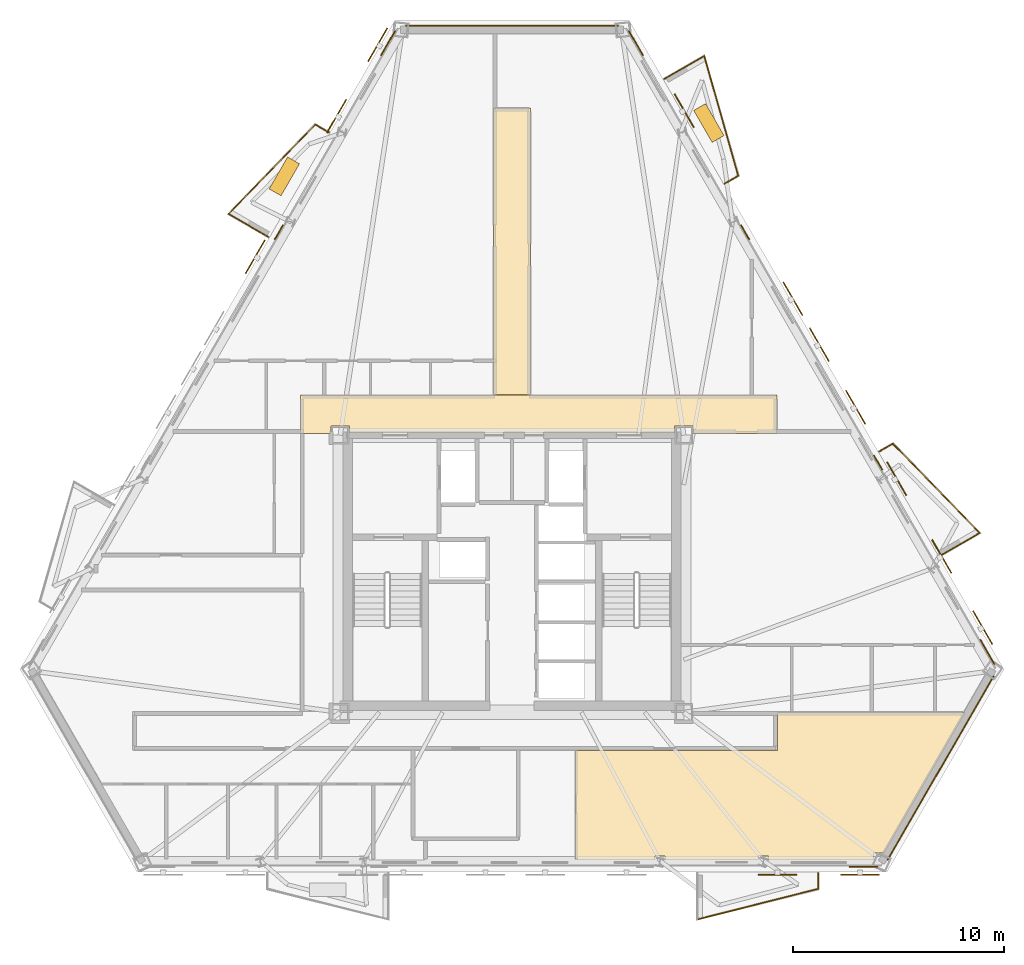
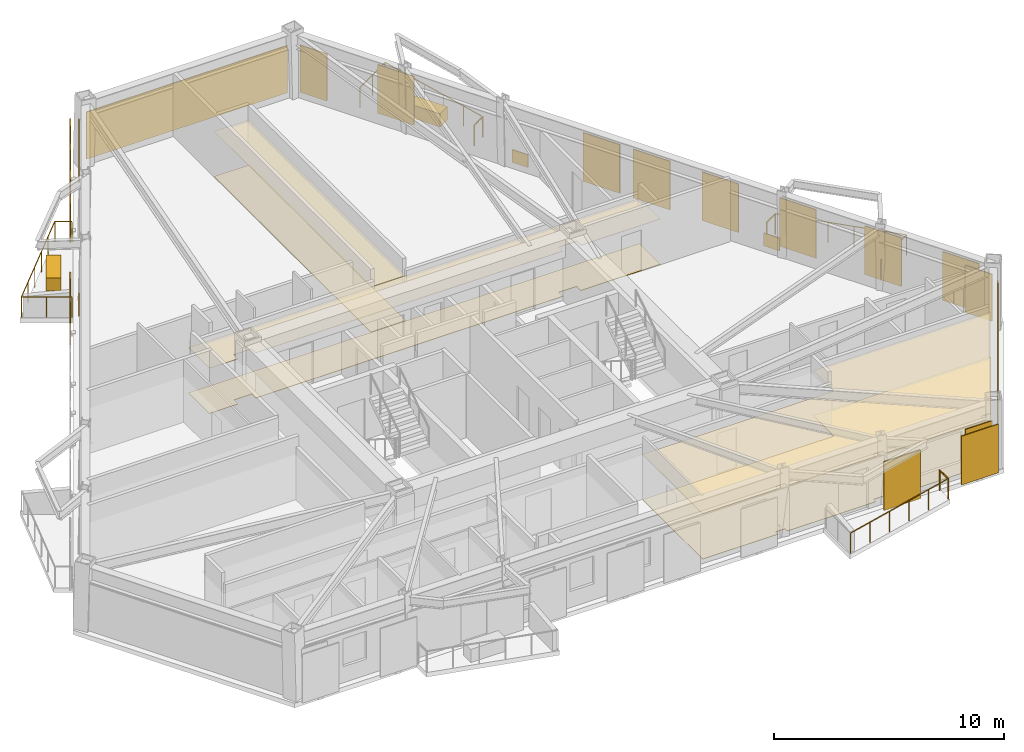
# One storey, part 9 of 9: 17 coverings, 12 shading devices, 11 railings.
"""IFC4 building model written with IfcOpenShell, lengths in metres."""

from ifc_helpers import new_model, si_unit, direction, frame, origin, origin_2d, place, context, subcontext, project, spatial, polyline, rectangle, circle, outline, extrude, material, layer, layer_set, type_object, element, save


model = new_model("IFC4")

# Units and contexts
model_context = context("Model", 3, precision=1e-05, world=origin(), true_north=direction((0.0, 1.0)))
body_context = subcontext(model_context, "Body", "Model", "MODEL_VIEW")
ifc_project = project(units=[si_unit("LENGTHUNIT", "METRE"), si_unit("AREAUNIT", "SQUARE_METRE"), si_unit("VOLUMEUNIT", "CUBIC_METRE"), si_unit("PLANEANGLEUNIT", "RADIAN"), si_unit("MASSUNIT", "GRAM", prefix="KILO")], contexts=[model_context])

# Site, building, storey
site_placement = place(None, origin())
site = spatial("IfcSite", under=ifc_project, at=site_placement, CompositionType="ELEMENT")
building_placement = place(site_placement, origin())
building = spatial("IfcBuilding", under=site, at=building_placement, Name="Oramaril Tower", CompositionType="ELEMENT")
storey_placement = place(building_placement, frame((0.0, 0.0, 126.60009765625)))
storey = spatial("IfcBuildingStorey", under=building, at=storey_placement, Name="L33", CompositionType="ELEMENT", Elevation=126.60009765625)

# Coverings
ifc_material_1 = material(Name="Mineral Fibre Acoustic Ceiling")
ifc_layer_1 = layer(ifc_material_1, 0.02001953125)
ifc_layer_set_1 = layer_set([ifc_layer_1], Name="CVT-CEIL")
covering_type_1 = type_object("IfcCoveringType", Name="CVT-CEIL", PredefinedType="CEILING", material=ifc_layer_set_1)
covering_1_placement = place(storey_placement, frame((0.0, 0.0, 2.39990234375)))
element("IfcCovering", 1, at=covering_1_placement, inside=storey, type_object=covering_type_1, Name="L33 Acoustic Suspended Ceiling 2", PredefinedType="CEILING", context=body_context, shape_type="SweptSolid", body=[
    extrude(outline(polyline([(50.080078125, 24.239990234375), (46.094970703125, 24.239990234375), (46.094970703125, 24.594970703125), (45.205078125, 24.594970703125), (45.205078125, 24.25), (29.794921875, 24.25), (29.794921875, 24.594970703125), (28.905029296875, 24.594970703125), (28.905029296875, 24.239990234375), (27.469970703125, 24.239990234375), (27.469970703125, 26.050048828125), (50.080078125, 26.050048828125), (50.080078125, 24.239990234375)])), origin(), (0.0, 0.0, 1.0), 0.02001953125),
])
covering_2_placement = place(storey_placement, frame((0.0, 0.0, 2.39990234375)))
element("IfcCovering", 2, at=covering_2_placement, inside=storey, type_object=covering_type_1, Name="L33 Acoustic Suspended Ceiling 4", PredefinedType="CEILING", context=body_context, shape_type="SweptSolid", body=[
    extrude(outline(polyline([(38.3798828125, 26.070068359375), (36.6201171875, 26.070068359375), (36.6201171875, 39.679931640625), (38.3798828125, 39.679931640625), (38.3798828125, 26.070068359375)])), origin(), (0.0, 0.0, 1.0), 0.02001953125),
])
covering_3_placement = place(storey_placement, frame((0.0, 0.0, 2.39990234375)))
element("IfcCovering", 3, at=covering_3_placement, inside=storey, type_object=covering_type_1, Name="L33 Acoustic Suspended Ceiling 7", PredefinedType="CEILING", context=body_context, shape_type="SweptSolid", body=[
    extrude(outline(polyline([(55.16064453125, 4.329833984375), (54.654541015625, 4.329833984375), (54.654541015625, 3.986328125), (49.664306640625, 3.986328125), (49.664306640625, 4.182861328125), (49.193603515625, 4.182861328125), (49.193603515625, 3.986328125), (44.747314453125, 3.986328125), (44.747314453125, 4.182861328125), (44.286865234375, 4.182861328125), (44.286865234375, 3.986328125), (40.507568359375, 3.986328125), (40.507568359375, 9.199951171875), (50.080078125, 9.199951171875), (50.08203125, 9.2001953125), (50.083984375, 9.200439453125), (50.085693359375, 9.200927734375), (50.087646484375, 9.201416015625), (50.08935546875, 9.202392578125), (50.091064453125, 9.203369140625), (50.0927734375, 9.20458984375), (50.093994140625, 9.205810546875), (50.095458984375, 9.207275390625), (50.0966796875, 9.208984375), (50.09765625, 9.210693359375), (50.098388671875, 9.21240234375), (50.09912109375, 9.214111328125), (50.099609375, 9.216064453125), (50.099853515625, 9.218017578125), (50.10009765625, 9.219970703125), (50.10009765625, 10.991943359375), (59.0068359375, 10.991943359375), (55.16064453125, 4.329833984375)])), origin(), (0.0, 0.0, 1.0), 0.02001953125),
])
ifc_material_2 = material(Name="Warm Cream Limestone", Category="masonry")
ifc_layer_2 = layer(ifc_material_2, 0.050048828125)
ifc_layer_set_2 = layer_set([ifc_layer_2], Name="CVT-CLD")
covering_type_2 = type_object("IfcCoveringType", Name="CVT-CLD", PredefinedType="CLADDING", material=ifc_layer_set_2)
covering_4_placement = place(storey_placement, frame((54.174560546875, 3.685302734375, 0.039794921875), z_axis=(0.0, 0.0, 1.0), x_axis=(1.0, 0.0, 0.0)))
element("IfcCovering", 4, at=covering_4_placement, inside=storey, type_object=covering_type_2, Name="L33 Warm Cream Limestone Cladding", PredefinedType="CLADDING", context=body_context, shape_type="SweptSolid", body=[
    extrude(rectangle(XDim=1.35009765625, YDim=0.050048828125, at=origin_2d()), origin(), (0.0, 0.0, 1.0), 2.498046875),
])
covering_5_placement = place(storey_placement, frame((57.834716796875, 8.359619140625, 0.039794921875), z_axis=(0.0, 0.0, 1.0), x_axis=(0.5, 0.866025403784, 0.0)))
element("IfcCovering", 5, at=covering_5_placement, inside=storey, type_object=covering_type_2, Name="L33 Warm Cream Limestone Cladding", PredefinedType="CLADDING", context=body_context, shape_type="SweptSolid", body=[
    extrude(rectangle(XDim=10.072265625, YDim=0.050048828125, at=origin_2d()), origin(), (0.0, 0.0, 1.0), 2.498046875),
])
for number, where, z_axis, x_axis, name in (
    (6, (60.052734375, 13.86669921875, 0.039794921875), (0.0, 0.0, 1.0), (-0.4999984885, 0.866026276448, 0.0), "L33 Warm Cream Limestone Cladding"),
    (7, (43.378173828125, 42.747802734375, 0.039794921875), (0.0, 0.0, 1.0), (-0.4999984885, 0.866026276448, 0.0), "L33 Warm Cream Limestone Cladding"),
):
    element("IfcCovering", number, at=place(storey_placement, frame(where, z_axis=z_axis, x_axis=x_axis)), inside=storey, type_object=covering_type_2, Name=name, PredefinedType="CLADDING", context=body_context, shape_type="SweptSolid", body=[
        extrude(rectangle(XDim=1.35009765625, YDim=0.050048828125, at=origin_2d()), origin(), (0.0, 0.0, 1.0), 2.498046875),
    ])
for number, where, z_axis, x_axis, name in (
    (8, (54.869873046875, 22.84375, 0.0400390625), (0.0, 0.0, 1.0), (-0.4999984885, 0.866026276448, 0.0), "L33 Warm Cream Limestone Spandrel Cladding"),
    (9, (48.56103515625, 33.77099609375, 0.0400390625), (0.0, 0.0, 1.0), (-0.4999984885, 0.866026276448, 0.0), "L33 Warm Cream Limestone Spandrel Cladding"),
):
    element("IfcCovering", number, at=place(storey_placement, frame(where, z_axis=z_axis, x_axis=x_axis)), inside=storey, type_object=covering_type_2, Name=name, PredefinedType="CLADDING", context=body_context, shape_type="SweptSolid", body=[
        extrude(rectangle(XDim=0.800048828125, YDim=0.050048828125, at=origin_2d()), origin(), (0.0, 0.0, 1.0), 0.679931640625),
    ])
covering_6_placement = place(storey_placement, frame((37.5, 43.58056640625, 0.039794921875), z_axis=(0.0, 0.0, 1.0), x_axis=(-1.0, 0.0, 0.0)))
element("IfcCovering", 10, at=covering_6_placement, inside=storey, type_object=covering_type_2, Name="L33 Warm Cream Limestone Cladding", PredefinedType="CLADDING", context=body_context, shape_type="SweptSolid", body=[
    extrude(rectangle(XDim=10.072265625, YDim=0.050048828125, at=origin_2d()), origin(), (0.0, 0.0, 1.0), 2.498046875),
])
covering_7_placement = place(storey_placement, frame((31.621826171875, 42.747802734375, 0.039794921875), z_axis=(0.0, 0.0, 1.0), x_axis=(-0.4999984885, -0.866026276448, 0.0)))
element("IfcCovering", 11, at=covering_7_placement, inside=storey, type_object=covering_type_2, Name="L33 Warm Cream Limestone Cladding", PredefinedType="CLADDING", context=body_context, shape_type="SweptSolid", body=[
    extrude(rectangle(XDim=1.35009765625, YDim=0.050048828125, at=origin_2d()), origin(), (0.0, 0.0, 1.0), 2.498046875),
])
covering_8_placement = place(storey_placement, frame((26.43896484375, 33.77099609375, 0.0400390625), z_axis=(0.0, 0.0, 1.0), x_axis=(-0.4999984885, -0.866026276448, 0.0)))
element("IfcCovering", 12, at=covering_8_placement, inside=storey, type_object=covering_type_2, Name="L33 Warm Cream Limestone Spandrel Cladding", PredefinedType="CLADDING", context=body_context, shape_type="SweptSolid", body=[
    extrude(rectangle(XDim=0.800048828125, YDim=0.050048828125, at=origin_2d()), origin(), (0.0, 0.0, 1.0), 0.679931640625),
])
for number, where, z_axis, x_axis, name in (
    (13, (46.838623046875, 38.961181640625, 0.0), (0.0, 0.0, 1.0), (-0.4999984885, 0.866026276448, 0.0), "L33 Structural Tree Planter Box L33-BAL-NE2"),
    (14, (26.69873046875, 36.42822265625, 0.0), (0.0, 0.0, 1.0), (-0.4999984885, -0.866026276448, 0.0), "L33 Structural Tree Planter Box L33-BAL-NW1"),
):
    element("IfcCovering", number, at=place(storey_placement, frame(where, z_axis=z_axis, x_axis=x_axis)), inside=storey, type_object=covering_type_2, Name=name, PredefinedType="CLADDING", context=body_context, shape_type="SweptSolid", body=[
        extrude(rectangle(XDim=1.75, YDim=0.64990234375, at=origin_2d()), origin(), (0.0, 0.0, 1.0), 0.699951171875),
    ])
ifc_material_3 = material(Name="Honed Quartzite Stone Flooring", Category="masonry")
ifc_layer_3 = layer(ifc_material_3, 0.02490234375)
ifc_layer_set_3 = layer_set([ifc_layer_3], Name="CVT-FLR")
covering_type_3 = type_object("IfcCoveringType", Name="CVT-FLR", PredefinedType="FLOORING", material=ifc_layer_set_3)
covering_9_placement = place(storey_placement, origin())
element("IfcCovering", 15, at=covering_9_placement, inside=storey, type_object=covering_type_3, Name="L33 Honed Stone Floor Finish 2", PredefinedType="FLOORING", context=body_context, shape_type="SweptSolid", body=[
    extrude(outline(polyline([(50.080078125, 24.239990234375), (46.094970703125, 24.239990234375), (46.094970703125, 24.594970703125), (45.205078125, 24.594970703125), (45.205078125, 24.25), (29.794921875, 24.25), (29.794921875, 24.594970703125), (28.905029296875, 24.594970703125), (28.905029296875, 24.239990234375), (27.469970703125, 24.239990234375), (27.469970703125, 26.050048828125), (50.080078125, 26.050048828125), (50.080078125, 24.239990234375)])), origin(), (0.0, 0.0, 1.0), 0.02490234375),
])
covering_10_placement = place(storey_placement, origin())
element("IfcCovering", 16, at=covering_10_placement, inside=storey, type_object=covering_type_3, Name="L33 Honed Stone Floor Finish 4", PredefinedType="FLOORING", context=body_context, shape_type="SweptSolid", body=[
    extrude(outline(polyline([(38.3798828125, 26.070068359375), (36.6201171875, 26.070068359375), (36.6201171875, 39.679931640625), (38.3798828125, 39.679931640625), (38.3798828125, 26.070068359375)])), origin(), (0.0, 0.0, 1.0), 0.02490234375),
])
covering_11_placement = place(storey_placement, origin())
element("IfcCovering", 17, at=covering_11_placement, inside=storey, type_object=covering_type_3, Name="L33 Honed Stone Floor Finish 7", PredefinedType="FLOORING", context=body_context, shape_type="SweptSolid", body=[
    extrude(outline(polyline([(55.16064453125, 4.329833984375), (54.654541015625, 4.329833984375), (54.654541015625, 3.986328125), (49.664306640625, 3.986328125), (49.664306640625, 4.182861328125), (49.193603515625, 4.182861328125), (49.193603515625, 3.986328125), (44.747314453125, 3.986328125), (44.747314453125, 4.182861328125), (44.286865234375, 4.182861328125), (44.286865234375, 3.986328125), (40.507568359375, 3.986328125), (40.507568359375, 9.199951171875), (50.080078125, 9.199951171875), (50.08203125, 9.2001953125), (50.083984375, 9.200439453125), (50.085693359375, 9.200927734375), (50.087646484375, 9.201416015625), (50.08935546875, 9.202392578125), (50.091064453125, 9.203369140625), (50.0927734375, 9.20458984375), (50.093994140625, 9.205810546875), (50.095458984375, 9.207275390625), (50.0966796875, 9.208984375), (50.09765625, 9.210693359375), (50.098388671875, 9.21240234375), (50.09912109375, 9.214111328125), (50.099609375, 9.216064453125), (50.099853515625, 9.218017578125), (50.10009765625, 9.219970703125), (50.10009765625, 10.991943359375), (59.0068359375, 10.991943359375), (55.16064453125, 4.329833984375)])), origin(), (0.0, 0.0, 1.0), 0.02490234375),
])

# Railings
ifc_material_4 = material(Name="Stainless Steel 316L", Category="steel")
railing_type = type_object("IfcRailingType", Name="RLT-GRD", PredefinedType="GUARDRAIL", material=ifc_material_4)
railing_1_placement = place(storey_placement, frame((52.030029296875, 3.370361328125, 0.0)))
element("IfcRailing", 18, at=railing_1_placement, inside=storey, type_object=railing_type, Name="L33 Balcony Guardrail L33-BAL-S2.1", PredefinedType="GUARDRAIL", context=body_context, shape_type="SweptSolid", body=[
    extrude(circle(Radius=0.02392578125, at=origin_2d()), frame((0.0, 0.0, 1.076171875), z_axis=(0.0, -1.0, 0.0), x_axis=(1.0, 0.0, 0.0)), (0.0, 0.0, 1.0), 0.741943359375),
    extrude(circle(Radius=0.02099609375, at=origin_2d()), origin(), (0.0, 0.0, 1.0), 1.052001953125),
    extrude(circle(Radius=0.02099609375, at=origin_2d()), frame((0.0, -0.741943359375, 0.0)), (0.0, 0.0, 1.0), 1.052001953125),
])
railing_2_placement = place(storey_placement, frame((52.030029296875, 2.62841796875, 0.0)))
element("IfcRailing", 19, at=railing_2_placement, inside=storey, type_object=railing_type, Name="L33 Balcony Guardrail L33-BAL-S2.2", PredefinedType="GUARDRAIL", context=body_context, shape_type="SweptSolid", body=[
    extrude(circle(Radius=0.02392578125, at=origin_2d()), frame((0.0, 0.0, 1.076171875), z_axis=(-0.969433787338, -0.245353076131, 0.0), x_axis=(0.245353076131, -0.969433787338, 0.0)), (0.0, 0.0, 1.0), 5.91064453125),
    extrude(circle(Radius=0.02099609375, at=origin_2d()), origin(), (0.0, 0.0, 1.0), 1.052001953125),
    extrude(circle(Radius=0.02099609375, at=origin_2d()), frame((-1.14599609375, -0.2900390625, 0.0)), (0.0, 0.0, 1.0), 1.052001953125),
    extrude(circle(Radius=0.02099609375, at=origin_2d()), frame((-2.2919921875, -0.580078125, 0.0)), (0.0, 0.0, 1.0), 1.052001953125),
    extrude(circle(Radius=0.02099609375, at=origin_2d()), frame((-3.43798828125, -0.8701171875, 0.0)), (0.0, 0.0, 1.0), 1.052001953125),
    extrude(circle(Radius=0.02099609375, at=origin_2d()), frame((-4.583984375, -1.16015625, 0.0)), (0.0, 0.0, 1.0), 1.052001953125),
    extrude(circle(Radius=0.02099609375, at=origin_2d()), frame((-5.72998046875, -1.4501953125, 0.0)), (0.0, 0.0, 1.0), 1.052001953125),
])
railing_3_placement = place(storey_placement, frame((54.92578125, 23.376708984375, 0.0)))
element("IfcRailing", 20, at=railing_3_placement, inside=storey, type_object=railing_type, Name="L33 Balcony Guardrail L33-BAL-NE1.1", PredefinedType="GUARDRAIL", context=body_context, shape_type="SweptSolid", body=[
    extrude(circle(Radius=0.02392578125, at=origin_2d()), frame((0.0, 0.0, 1.076171875), z_axis=(0.865966403178, 0.500102178127, 0.0), x_axis=(-0.500102178127, 0.865966403178, 0.0)), (0.0, 0.0, 1.0), 0.741943359375),
    extrude(circle(Radius=0.02099609375, at=origin_2d()), origin(), (0.0, 0.0, 1.0), 1.052001953125),
    extrude(circle(Radius=0.02099609375, at=origin_2d()), frame((0.642578125, 0.37109375, 0.0)), (0.0, 0.0, 1.0), 1.052001953125),
])
railing_4_placement = place(storey_placement, frame((55.568359375, 23.747802734375, 0.0)))
element("IfcRailing", 21, at=railing_4_placement, inside=storey, type_object=railing_type, Name="L33 Balcony Guardrail L33-BAL-NE1.2", PredefinedType="GUARDRAIL", context=body_context, shape_type="SweptSolid", body=[
    extrude(circle(Radius=0.02392578125, at=origin_2d()), frame((0.0, 0.0, 1.076171875), z_axis=(0.697186915353, -0.716889395277, 0.0), x_axis=(0.716889395277, 0.697186915353, 0.0)), (0.0, 0.0, 1.0), 5.91064453125),
    extrude(circle(Radius=0.02099609375, at=origin_2d()), origin(), (0.0, 0.0, 1.0), 1.052001953125),
    extrude(circle(Radius=0.02099609375, at=origin_2d()), frame((0.82421875, -0.847412109375, 0.0)), (0.0, 0.0, 1.0), 1.052001953125),
    extrude(circle(Radius=0.02099609375, at=origin_2d()), frame((1.6484375, -1.69482421875, 0.0)), (0.0, 0.0, 1.0), 1.052001953125),
    extrude(circle(Radius=0.02099609375, at=origin_2d()), frame((2.472412109375, -2.54248046875, 0.0)), (0.0, 0.0, 1.0), 1.052001953125),
    extrude(circle(Radius=0.02099609375, at=origin_2d()), frame((3.296630859375, -3.389892578125, 0.0)), (0.0, 0.0, 1.0), 1.052001953125),
    extrude(circle(Radius=0.02099609375, at=origin_2d()), frame((4.120849609375, -4.2373046875, 0.0)), (0.0, 0.0, 1.0), 1.052001953125),
])
railing_5_placement = place(storey_placement, frame((59.689208984375, 19.510498046875, 0.0)))
element("IfcRailing", 22, at=railing_5_placement, inside=storey, type_object=railing_type, Name="L33 Balcony Guardrail L33-BAL-NE1.3", PredefinedType="GUARDRAIL", context=body_context, shape_type="SweptSolid", body=[
    extrude(circle(Radius=0.02392578125, at=origin_2d()), frame((0.0, 0.0, 1.076171875), z_axis=(-0.866020500697, -0.5000084923, 0.0), x_axis=(0.5000084923, -0.866020500697, 0.0)), (0.0, 0.0, 1.0), 2.19189453125),
    extrude(circle(Radius=0.02099609375, at=origin_2d()), origin(), (0.0, 0.0, 1.0), 1.052001953125),
    extrude(circle(Radius=0.02099609375, at=origin_2d()), frame((-0.94921875, -0.5478515625, 0.0)), (0.0, 0.0, 1.0), 1.052001953125),
    extrude(circle(Radius=0.02099609375, at=origin_2d()), frame((-1.898193359375, -1.095947265625, 0.0)), (0.0, 0.0, 1.0), 1.052001953125),
])
railing_6_placement = place(storey_placement, frame((44.723388671875, 41.048095703125, 0.0)))
element("IfcRailing", 23, at=railing_6_placement, inside=storey, type_object=railing_type, Name="L33 Balcony Guardrail L33-BAL-NE2.1", PredefinedType="GUARDRAIL", context=body_context, shape_type="SweptSolid", body=[
    extrude(circle(Radius=0.02392578125, at=origin_2d()), frame((0.0, 0.0, 1.076171875), z_axis=(0.865972267571, 0.50009202333, 0.0), x_axis=(-0.50009202333, 0.865972267571, 0.0)), (0.0, 0.0, 1.0), 2.19189453125),
    extrude(circle(Radius=0.02099609375, at=origin_2d()), origin(), (0.0, 0.0, 1.0), 1.052001953125),
    extrude(circle(Radius=0.02099609375, at=origin_2d()), frame((0.94921875, 0.548095703125, 0.0)), (0.0, 0.0, 1.0), 1.052001953125),
    extrude(circle(Radius=0.02099609375, at=origin_2d()), frame((1.898193359375, 1.09619140625, 0.0)), (0.0, 0.0, 1.0), 1.052001953125),
])
railing_7_placement = place(storey_placement, frame((46.62158203125, 42.144287109375, 0.0)))
element("IfcRailing", 24, at=railing_7_placement, inside=storey, type_object=railing_type, Name="L33 Balcony Guardrail L33-BAL-NE2.2", PredefinedType="GUARDRAIL", context=body_context, shape_type="SweptSolid", body=[
    extrude(circle(Radius=0.02392578125, at=origin_2d()), frame((0.0, 0.0, 1.076171875), z_axis=(0.27224886544, -0.962226873074, 0.0), x_axis=(0.962226873074, 0.27224886544, 0.0)), (0.0, 0.0, 1.0), 5.910400390625),
    extrude(circle(Radius=0.02099609375, at=origin_2d()), origin(), (0.0, 0.0, 1.0), 1.052001953125),
    extrude(circle(Radius=0.02099609375, at=origin_2d()), frame((0.32177734375, -1.137451171875, 0.0)), (0.0, 0.0, 1.0), 1.052001953125),
    extrude(circle(Radius=0.02099609375, at=origin_2d()), frame((0.6435546875, -2.27490234375, 0.0)), (0.0, 0.0, 1.0), 1.052001953125),
    extrude(circle(Radius=0.02099609375, at=origin_2d()), frame((0.965576171875, -3.412353515625, 0.0)), (0.0, 0.0, 1.0), 1.052001953125),
    extrude(circle(Radius=0.02099609375, at=origin_2d()), frame((1.287353515625, -4.5498046875, 0.0)), (0.0, 0.0, 1.0), 1.052001953125),
    extrude(circle(Radius=0.02099609375, at=origin_2d()), frame((1.609130859375, -5.687255859375, 0.0)), (0.0, 0.0, 1.0), 1.052001953125),
])
railing_8_placement = place(storey_placement, frame((48.230712890625, 36.45703125, 0.0)))
element("IfcRailing", 25, at=railing_8_placement, inside=storey, type_object=railing_type, Name="L33 Balcony Guardrail L33-BAL-NE2.3", PredefinedType="GUARDRAIL", context=body_context, shape_type="SweptSolid", body=[
    extrude(circle(Radius=0.02392578125, at=origin_2d()), frame((0.0, 0.0, 1.076171875), z_axis=(-0.865884080729, -0.500244698863, 0.0), x_axis=(0.500244698863, -0.865884080729, 0.0)), (0.0, 0.0, 1.0), 0.741943359375),
    extrude(circle(Radius=0.02099609375, at=origin_2d()), origin(), (0.0, 0.0, 1.0), 1.052001953125),
    extrude(circle(Radius=0.02099609375, at=origin_2d()), frame((-0.642333984375, -0.37109375, 0.0)), (0.0, 0.0, 1.0), 1.052001953125),
])
railing_9_placement = place(storey_placement, frame((25.94921875, 33.552734375, 0.0)))
element("IfcRailing", 26, at=railing_9_placement, inside=storey, type_object=railing_type, Name="L33 Balcony Guardrail L33-BAL-NW1.1", PredefinedType="GUARDRAIL", context=body_context, shape_type="SweptSolid", body=[
    extrude(circle(Radius=0.02392578125, at=origin_2d()), frame((0.0, 0.0, 1.076171875), z_axis=(-0.866048343933, 0.499960264392, 0.0), x_axis=(-0.499960264392, -0.866048343933, 0.0)), (0.0, 0.0, 1.0), 2.192138671875),
    extrude(circle(Radius=0.02099609375, at=origin_2d()), origin(), (0.0, 0.0, 1.0), 1.052001953125),
    extrude(circle(Radius=0.02099609375, at=origin_2d()), frame((-0.94921875, 0.5478515625, 0.0)), (0.0, 0.0, 1.0), 1.052001953125),
    extrude(circle(Radius=0.02099609375, at=origin_2d()), frame((-1.8984375, 1.095947265625, 0.0)), (0.0, 0.0, 1.0), 1.052001953125),
])
railing_10_placement = place(storey_placement, frame((24.05078125, 34.648681640625, 0.0)))
element("IfcRailing", 27, at=railing_10_placement, inside=storey, type_object=railing_type, Name="L33 Balcony Guardrail L33-BAL-NW1.2", PredefinedType="GUARDRAIL", context=body_context, shape_type="SweptSolid", body=[
    extrude(circle(Radius=0.02392578125, at=origin_2d()), frame((0.0, 0.0, 1.076171875), z_axis=(0.697186915353, 0.716889395277, 0.0), x_axis=(-0.716889395277, 0.697186915353, 0.0)), (0.0, 0.0, 1.0), 5.91064453125),
    extrude(circle(Radius=0.02099609375, at=origin_2d()), origin(), (0.0, 0.0, 1.0), 1.052001953125),
    extrude(circle(Radius=0.02099609375, at=origin_2d()), frame((0.82421875, 0.847412109375, 0.0)), (0.0, 0.0, 1.0), 1.052001953125),
    extrude(circle(Radius=0.02099609375, at=origin_2d()), frame((1.6484375, 1.69482421875, 0.0)), (0.0, 0.0, 1.0), 1.052001953125),
    extrude(circle(Radius=0.02099609375, at=origin_2d()), frame((2.472412109375, 2.54248046875, 0.0)), (0.0, 0.0, 1.0), 1.052001953125),
    extrude(circle(Radius=0.02099609375, at=origin_2d()), frame((3.296630859375, 3.389892578125, 0.0)), (0.0, 0.0, 1.0), 1.052001953125),
    extrude(circle(Radius=0.02099609375, at=origin_2d()), frame((4.120849609375, 4.2373046875, 0.0)), (0.0, 0.0, 1.0), 1.052001953125),
])
railing_11_placement = place(storey_placement, frame((28.171630859375, 38.885986328125, 0.0)))
element("IfcRailing", 28, at=railing_11_placement, inside=storey, type_object=railing_type, Name="L33 Balcony Guardrail L33-BAL-NW1.3", PredefinedType="GUARDRAIL", context=body_context, shape_type="SweptSolid", body=[
    extrude(circle(Radius=0.02392578125, at=origin_2d()), frame((0.0, 0.0, 1.076171875), z_axis=(0.866108878364, -0.499855389907, 0.0), x_axis=(0.499855389907, 0.866108878364, 0.0)), (0.0, 0.0, 1.0), 0.741943359375),
    extrude(circle(Radius=0.02099609375, at=origin_2d()), origin(), (0.0, 0.0, 1.0), 1.052001953125),
    extrude(circle(Radius=0.02099609375, at=origin_2d()), frame((0.642578125, -0.370849609375, 0.0)), (0.0, 0.0, 1.0), 1.052001953125),
])

# Shading devices
for number, where, z_axis, x_axis, name in (
    (29, (50.102294921875, 3.29833984375, -0.02001953125), (0.0, 0.0, 1.0), (1.0, 0.0, 0.0), "L33 Perforated Ceramic Solar Screen"),
    (30, (54.00244140625, 3.29833984375, -0.02001953125), (0.0, 0.0, 1.0), (1.0, 0.0, 0.0), "L33 Perforated Ceramic Solar Screen"),
    (31, (59.8349609375, 15.01806640625, -0.02001953125), (0.0, 0.0, 1.0), (-0.4999984885, 0.866026276448, 0.0), "L33 Perforated Ceramic Solar Screen"),
    (32, (57.885009765625, 18.3955078125, -0.02001953125), (0.0, 0.0, 1.0), (-0.4999984885, 0.866026276448, 0.0), "L33 Perforated Ceramic Solar Screen"),
    (33, (55.75048828125, 22.092529296875, -0.02001953125), (0.0, 0.0, 1.0), (-0.4999984885, 0.866026276448, 0.0), "L33 Perforated Ceramic Solar Screen"),
    (34, (53.80029296875, 25.469970703125, -0.02001953125), (0.0, 0.0, 1.0), (-0.4999984885, 0.866026276448, 0.0), "L33 Perforated Ceramic Solar Screen"),
    (35, (45.6708984375, 39.551025390625, -0.02001953125), (0.0, 0.0, 1.0), (-0.4999984885, 0.866026276448, 0.0), "L33 Perforated Ceramic Solar Screen"),
    (36, (52.081298828125, 28.447509765625, -0.02001953125), (0.0, 0.0, 1.0), (-0.4999984885, 0.866026276448, 0.0), "L33 Perforated Ceramic Solar Screen"),
    (37, (50.82568359375, 30.62255859375, -0.02001953125), (0.0, 0.0, 1.0), (-0.4999984885, 0.866026276448, 0.0), "L33 Perforated Ceramic Solar Screen"),
    (38, (31.129638671875, 42.66943359375, -0.02001953125), (0.0, 0.0, 1.0), (-0.4999984885, -0.866026276448, 0.0), "L33 Perforated Ceramic Solar Screen"),
    (39, (29.1796875, 39.2919921875, -0.02001953125), (0.0, 0.0, 1.0), (-0.4999984885, -0.866026276448, 0.0), "L33 Perforated Ceramic Solar Screen"),
    (40, (25.319580078125, 32.606201171875, -0.02001953125), (0.0, 0.0, 1.0), (-0.4999984885, -0.866026276448, 0.0), "L33 Perforated Ceramic Solar Screen"),
):
    element("IfcShadingDevice", number, at=place(storey_placement, frame(where, z_axis=z_axis, x_axis=x_axis)), inside=storey, Name=name, ObjectType="SCREEN", PredefinedType="USERDEFINED", context=body_context, shape_type="SweptSolid", body=[
        extrude(rectangle(XDim=1.8330078125, YDim=0.050048828125, at=origin_2d()), origin(), (0.0, 0.0, 1.0), 2.577880859375),
    ])

save(model, "model.ifc")
